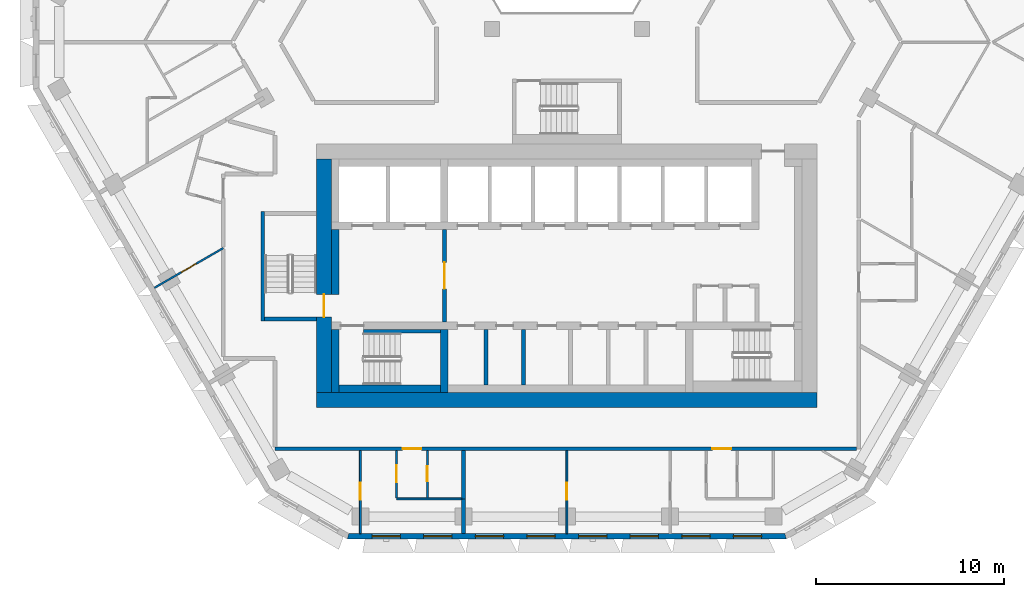
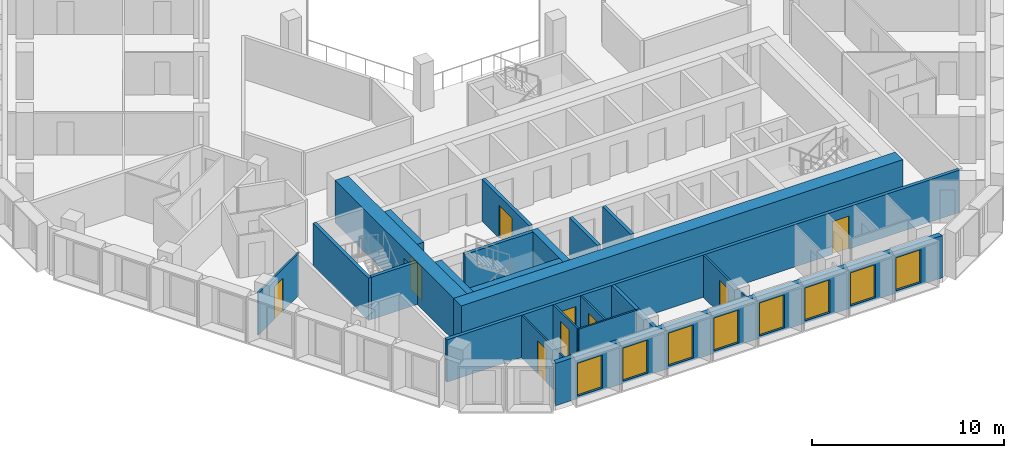
# One storey, part 3 of 18: 22 walls, 9 doors, 8 windows, 17 openings.
"""IFC4 building model written with IfcOpenShell, lengths in metres."""

from ifc_helpers import new_model, si_unit, direction, frame, frame_2d, origin, place, context, subcontext, project, spatial, polyline, rectangle, outline, extrude, material, layer, layer_set, type_object, element, fill, save


model = new_model("IFC4")

# Units and contexts
model_context = context("Model", 3, precision=1e-05, world=origin(), true_north=direction((0.0, 1.0)))
body_context = subcontext(model_context, "Body", "Model", "MODEL_VIEW")
ifc_project = project(units=[si_unit("LENGTHUNIT", "METRE"), si_unit("AREAUNIT", "SQUARE_METRE"), si_unit("VOLUMEUNIT", "CUBIC_METRE"), si_unit("PLANEANGLEUNIT", "RADIAN"), si_unit("MASSUNIT", "GRAM", prefix="KILO")], contexts=[model_context])

# Site, building, storey
site_placement = place(None, origin())
site = spatial("IfcSite", under=ifc_project, at=site_placement, CompositionType="ELEMENT")
building_placement = place(site_placement, origin())
building = spatial("IfcBuilding", under=site, at=building_placement, Name="Beryl Residences", CompositionType="ELEMENT")
storey_placement = place(building_placement, frame((0.0, 0.0, 138.60009765625)))
storey = spatial("IfcBuildingStorey", under=building, at=storey_placement, Name="L42", CompositionType="ELEMENT", Elevation=138.60009765625)

# Wall, openings, windows
ifc_material_1 = material(Name="Composite metal panel with mineral wool insulation")
ifc_layer_1 = layer(ifc_material_1, 0.300048828125)
ifc_layer_set_1 = layer_set([ifc_layer_1], Name="ES1 pale metal composite panel wall 300 mm")
wall_type_1 = type_object("IfcWallType", Name="ES1 pale metal composite panel wall 300 mm", PredefinedType="SOLIDWALL", material=ifc_layer_set_1)
wall_1_placement = place(storey_placement, frame((-11.662109375, -25.85009765625, 0.0), z_axis=(0.0, 0.0, 1.0), x_axis=(1.0, 0.0, 0.0)))
wall_1 = element("IfcWall", 1, at=wall_1_placement, inside=storey, type_object=wall_type_1, Name="ES1 external wall L42 S", PredefinedType="SOLIDWALL", context=body_context, shape_type="SweptSolid", body=[
    extrude(outline(polyline([(0.0, -0.14990234375), (23.32421875, -0.14990234375), (23.243896484375, 0.14990234375), (0.080322265625, 0.14990234375), (0.0, -0.14990234375)])), origin(), (0.0, 0.0, 1.0), 2.699951171875),
])
opening_1_placement = place(wall_1_placement, frame((1.31396484375, 0.0, 0.14990234375)))
opening_1 = element("IfcOpeningElement", 2, at=opening_1_placement, cuts=wall_1, Name="Opening W1", PredefinedType="OPENING", context=body_context, shape_type="SweptSolid", body=[
    extrude(rectangle(XDim=1.5, YDim=2.10009765625, at=frame_2d((0.75, 1.050048828125))), frame((0.0, 0.159912109375, 0.0), z_axis=(0.0, -1.0, 0.0), x_axis=(1.0, 0.0, 0.0)), (0.0, 0.0, 1.0), 0.320068359375),
])
opening_2_placement = place(wall_1_placement, frame((4.056884765625, 0.0, 0.14990234375)))
opening_2 = element("IfcOpeningElement", 3, at=opening_2_placement, cuts=wall_1, Name="Opening W1", PredefinedType="OPENING", context=body_context, shape_type="SweptSolid", body=[
    extrude(rectangle(XDim=1.5, YDim=2.10009765625, at=frame_2d((0.75, 1.050048828125))), frame((0.0, 0.159912109375, 0.0), z_axis=(0.0, -1.0, 0.0), x_axis=(1.0, 0.0, 0.0)), (0.0, 0.0, 1.0), 0.320068359375),
])
opening_3_placement = place(wall_1_placement, frame((6.799072265625, 0.0, 0.14990234375)))
opening_3 = element("IfcOpeningElement", 4, at=opening_3_placement, cuts=wall_1, Name="Opening W1", PredefinedType="OPENING", context=body_context, shape_type="SweptSolid", body=[
    extrude(rectangle(XDim=1.5, YDim=2.10009765625, at=frame_2d((0.75, 1.050048828125))), frame((0.0, 0.159912109375, 0.0), z_axis=(0.0, -1.0, 0.0), x_axis=(1.0, 0.0, 0.0)), (0.0, 0.0, 1.0), 0.320068359375),
])
opening_4_placement = place(wall_1_placement, frame((9.5419921875, 0.0, 0.14990234375)))
opening_4 = element("IfcOpeningElement", 5, at=opening_4_placement, cuts=wall_1, Name="Opening W1", PredefinedType="OPENING", context=body_context, shape_type="SweptSolid", body=[
    extrude(rectangle(XDim=1.5, YDim=2.10009765625, at=frame_2d((0.75, 1.050048828125))), frame((0.0, 0.159912109375, 0.0), z_axis=(0.0, -1.0, 0.0), x_axis=(1.0, 0.0, 0.0)), (0.0, 0.0, 1.0), 0.320068359375),
])
opening_5_placement = place(wall_1_placement, frame((12.283935546875, 0.0, 0.14990234375)))
opening_5 = element("IfcOpeningElement", 6, at=opening_5_placement, cuts=wall_1, Name="Opening W1", PredefinedType="OPENING", context=body_context, shape_type="SweptSolid", body=[
    extrude(rectangle(XDim=1.5, YDim=2.10009765625, at=frame_2d((0.75, 1.050048828125))), frame((0.0, 0.159912109375, 0.0), z_axis=(0.0, -1.0, 0.0), x_axis=(1.0, 0.0, 0.0)), (0.0, 0.0, 1.0), 0.320068359375),
])
opening_6_placement = place(wall_1_placement, frame((15.027099609375, 0.0, 0.14990234375)))
opening_6 = element("IfcOpeningElement", 7, at=opening_6_placement, cuts=wall_1, Name="Opening W1", PredefinedType="OPENING", context=body_context, shape_type="SweptSolid", body=[
    extrude(rectangle(XDim=1.5, YDim=2.10009765625, at=frame_2d((0.75, 1.050048828125))), frame((0.0, 0.159912109375, 0.0), z_axis=(0.0, -1.0, 0.0), x_axis=(1.0, 0.0, 0.0)), (0.0, 0.0, 1.0), 0.320068359375),
])
opening_7_placement = place(wall_1_placement, frame((17.76904296875, 0.0, 0.14990234375)))
opening_7 = element("IfcOpeningElement", 8, at=opening_7_placement, cuts=wall_1, Name="Opening W1", PredefinedType="OPENING", context=body_context, shape_type="SweptSolid", body=[
    extrude(rectangle(XDim=1.5, YDim=2.10009765625, at=frame_2d((0.75, 1.050048828125))), frame((0.0, 0.159912109375, 0.0), z_axis=(0.0, -1.0, 0.0), x_axis=(1.0, 0.0, 0.0)), (0.0, 0.0, 1.0), 0.320068359375),
])
opening_8_placement = place(wall_1_placement, frame((20.511962890625, 0.0, 0.14990234375)))
opening_8 = element("IfcOpeningElement", 9, at=opening_8_placement, cuts=wall_1, Name="Opening W1", PredefinedType="OPENING", context=body_context, shape_type="SweptSolid", body=[
    extrude(rectangle(XDim=1.5, YDim=2.10009765625, at=frame_2d((0.75, 1.050048828125))), frame((0.0, 0.159912109375, 0.0), z_axis=(0.0, -1.0, 0.0), x_axis=(1.0, 0.0, 0.0)), (0.0, 0.0, 1.0), 0.320068359375),
])
ifc_material_2 = material(Name="Aluminium and clear glass", Category="aluminium")
window_type = type_object("IfcWindowType", Name="W1 cell window 1500 x 2100 mm", PartitioningType="SINGLE_PANEL", PredefinedType="WINDOW", material=ifc_material_2)
window_1_placement = place(opening_1_placement, origin())
window_1 = element("IfcWindow", 10, at=window_1_placement, inside=storey, type_object=window_type, Name="W1 window L42 S 1", OverallHeight=2.10009765625, OverallWidth=1.5, PartitioningType="SINGLE_PANEL", PredefinedType="WINDOW", context=body_context, shape_type="SweptSolid", body=[
    extrude(rectangle(XDim=1.5, YDim=2.10009765625, at=frame_2d((0.75, 1.050048828125))), frame((0.0, 0.030029296875, 0.0), z_axis=(0.0, -1.0, 0.0), x_axis=(1.0, 0.0, 0.0)), (0.0, 0.0, 1.0), 0.06005859375),
])
fill(opening_1, window_1)
window_2_placement = place(opening_2_placement, origin())
window_2 = element("IfcWindow", 11, at=window_2_placement, inside=storey, type_object=window_type, Name="W1 window L42 S 2", OverallHeight=2.10009765625, OverallWidth=1.5, PartitioningType="SINGLE_PANEL", PredefinedType="WINDOW", context=body_context, shape_type="SweptSolid", body=[
    extrude(rectangle(XDim=1.5, YDim=2.10009765625, at=frame_2d((0.75, 1.050048828125))), frame((0.0, 0.030029296875, 0.0), z_axis=(0.0, -1.0, 0.0), x_axis=(1.0, 0.0, 0.0)), (0.0, 0.0, 1.0), 0.06005859375),
])
fill(opening_2, window_2)
window_3_placement = place(opening_3_placement, origin())
window_3 = element("IfcWindow", 12, at=window_3_placement, inside=storey, type_object=window_type, Name="W1 window L42 S 3", OverallHeight=2.10009765625, OverallWidth=1.5, PartitioningType="SINGLE_PANEL", PredefinedType="WINDOW", context=body_context, shape_type="SweptSolid", body=[
    extrude(rectangle(XDim=1.5, YDim=2.10009765625, at=frame_2d((0.75, 1.050048828125))), frame((0.0, 0.030029296875, 0.0), z_axis=(0.0, -1.0, 0.0), x_axis=(1.0, 0.0, 0.0)), (0.0, 0.0, 1.0), 0.06005859375),
])
fill(opening_3, window_3)
window_4_placement = place(opening_4_placement, origin())
window_4 = element("IfcWindow", 13, at=window_4_placement, inside=storey, type_object=window_type, Name="W1 window L42 S 4", OverallHeight=2.10009765625, OverallWidth=1.5, PartitioningType="SINGLE_PANEL", PredefinedType="WINDOW", context=body_context, shape_type="SweptSolid", body=[
    extrude(rectangle(XDim=1.5, YDim=2.10009765625, at=frame_2d((0.75, 1.050048828125))), frame((0.0, 0.030029296875, 0.0), z_axis=(0.0, -1.0, 0.0), x_axis=(1.0, 0.0, 0.0)), (0.0, 0.0, 1.0), 0.06005859375),
])
fill(opening_4, window_4)
window_5_placement = place(opening_5_placement, origin())
window_5 = element("IfcWindow", 14, at=window_5_placement, inside=storey, type_object=window_type, Name="W1 window L42 S 5", OverallHeight=2.10009765625, OverallWidth=1.5, PartitioningType="SINGLE_PANEL", PredefinedType="WINDOW", context=body_context, shape_type="SweptSolid", body=[
    extrude(rectangle(XDim=1.5, YDim=2.10009765625, at=frame_2d((0.75, 1.050048828125))), frame((0.0, 0.030029296875, 0.0), z_axis=(0.0, -1.0, 0.0), x_axis=(1.0, 0.0, 0.0)), (0.0, 0.0, 1.0), 0.06005859375),
])
fill(opening_5, window_5)
window_6_placement = place(opening_6_placement, origin())
window_6 = element("IfcWindow", 15, at=window_6_placement, inside=storey, type_object=window_type, Name="W1 window L42 S 6", OverallHeight=2.10009765625, OverallWidth=1.5, PartitioningType="SINGLE_PANEL", PredefinedType="WINDOW", context=body_context, shape_type="SweptSolid", body=[
    extrude(rectangle(XDim=1.5, YDim=2.10009765625, at=frame_2d((0.75, 1.050048828125))), frame((0.0, 0.030029296875, 0.0), z_axis=(0.0, -1.0, 0.0), x_axis=(1.0, 0.0, 0.0)), (0.0, 0.0, 1.0), 0.06005859375),
])
fill(opening_6, window_6)
window_7_placement = place(opening_7_placement, origin())
window_7 = element("IfcWindow", 16, at=window_7_placement, inside=storey, type_object=window_type, Name="W1 window L42 S 7", OverallHeight=2.10009765625, OverallWidth=1.5, PartitioningType="SINGLE_PANEL", PredefinedType="WINDOW", context=body_context, shape_type="SweptSolid", body=[
    extrude(rectangle(XDim=1.5, YDim=2.10009765625, at=frame_2d((0.75, 1.050048828125))), frame((0.0, 0.030029296875, 0.0), z_axis=(0.0, -1.0, 0.0), x_axis=(1.0, 0.0, 0.0)), (0.0, 0.0, 1.0), 0.06005859375),
])
fill(opening_7, window_7)
window_8_placement = place(opening_8_placement, origin())
window_8 = element("IfcWindow", 17, at=window_8_placement, inside=storey, type_object=window_type, Name="W1 window L42 S 8", OverallHeight=2.10009765625, OverallWidth=1.5, PartitioningType="SINGLE_PANEL", PredefinedType="WINDOW", context=body_context, shape_type="SweptSolid", body=[
    extrude(rectangle(XDim=1.5, YDim=2.10009765625, at=frame_2d((0.75, 1.050048828125))), frame((0.0, 0.030029296875, 0.0), z_axis=(0.0, -1.0, 0.0), x_axis=(1.0, 0.0, 0.0)), (0.0, 0.0, 1.0), 0.06005859375),
])
fill(opening_8, window_8)

# Wall, opening, door
ifc_material_3 = material(Name="Gypsum board partition on steel studs", Category="steel")
ifc_layer_2 = layer(ifc_material_3, 0.10009765625)
ifc_layer_set_2 = layer_set([ifc_layer_2], Name="PT1 partition 100 mm gypsum board on steel studs")
wall_type_2 = type_object("IfcWallType", Name="PT1 partition 100 mm gypsum board on steel studs", PredefinedType="PARTITIONING", material=ifc_layer_set_2)
wall_2_placement = place(storey_placement, frame((-9.049072265625, -21.300048828125, 0.0), z_axis=(0.0, 0.0, 1.0), x_axis=(0.0, -1.0, 0.0)))
wall_2 = element("IfcWall", 18, at=wall_2_placement, inside=storey, type_object=wall_type_2, Name="Wall PT1 L42 008", PredefinedType="PARTITIONING", context=body_context, shape_type="SweptSolid", body=[
    extrude(rectangle(XDim=2.509033203125, YDim=0.10009765625, at=frame_2d((1.25439453125, 0.0))), origin(), (0.0, 0.0, 1.0), 2.699951171875),
])
opening_9_placement = place(wall_2_placement, frame((0.780029296875, 0.0, 0.0)))
opening_9 = element("IfcOpeningElement", 19, at=opening_9_placement, cuts=wall_2, Name="Opening D1106", PredefinedType="OPENING", context=body_context, shape_type="SweptSolid", body=[
    extrude(rectangle(XDim=0.89990234375, YDim=2.10009765625, at=frame_2d((0.449951171875, 1.050048828125))), frame((0.0, 0.06005859375, 0.0), z_axis=(0.0, -1.0, 0.0), x_axis=(1.0, 0.0, 0.0)), (0.0, 0.0, 1.0), 0.1201171875),
])
ifc_material_4 = material(Name="Timber door leaf", Category="wood")
door_type_1 = type_object("IfcDoorType", Name="D2 room door 900 x 2100 mm", OperationType="SINGLE_SWING_LEFT", PredefinedType="DOOR", material=ifc_material_4)
door_1_placement = place(opening_9_placement, origin())
door_1 = element("IfcDoor", 20, at=door_1_placement, inside=storey, type_object=door_type_1, Name="Door D1106 L42 001", OperationType="SINGLE_SWING_RIGHT", OverallHeight=2.10009765625, OverallWidth=0.89990234375, PredefinedType="DOOR", context=body_context, shape_type="SweptSolid", body=[
    extrude(rectangle(XDim=0.89990234375, YDim=2.10009765625, at=frame_2d((0.449951171875, 1.050048828125))), frame((0.0, 0.02490234375, 0.0), z_axis=(0.0, -1.0, 0.0), x_axis=(1.0, 0.0, 0.0)), (0.0, 0.0, 1.0), 0.050048828125),
])
fill(opening_9, door_1)

# Wall
wall_3_placement = place(storey_placement, frame((-9.048095703125, -23.860107421875, 0.0), z_axis=(0.0, 0.0, 1.0), x_axis=(1.0, 0.0, 0.0)))
element("IfcWall", 21, at=wall_3_placement, inside=storey, type_object=wall_type_2, Name="Wall PT1 L42 021", PredefinedType="PARTITIONING", context=body_context, shape_type="SweptSolid", body=[
    extrude(rectangle(XDim=3.464111328125, YDim=0.10009765625, at=frame_2d((1.73193359375, 0.0))), origin(), (0.0, 0.0, 1.0), 2.699951171875),
])

# Wall, opening, door
wall_4_placement = place(storey_placement, frame((0.0009765625, -25.699951171875, 0.0), z_axis=(0.0, 0.0, 1.0), x_axis=(0.0, 1.0, 0.0)))
wall_4 = element("IfcWall", 22, at=wall_4_placement, inside=storey, type_object=wall_type_2, Name="Wall PT1 L42 044", PredefinedType="PARTITIONING", context=body_context, shape_type="SweptSolid", body=[
    extrude(rectangle(XDim=4.39990234375, YDim=0.10009765625, at=frame_2d((2.199951171875, 0.0))), origin(), (0.0, 0.0, 1.0), 2.699951171875),
])
opening_10_placement = place(wall_4_placement, frame((1.800048828125, 0.0, 0.0)))
opening_10 = element("IfcOpeningElement", 23, at=opening_10_placement, cuts=wall_4, Name="Opening D1114", PredefinedType="OPENING", context=body_context, shape_type="SweptSolid", body=[
    extrude(rectangle(XDim=0.89990234375, YDim=2.10009765625, at=frame_2d((0.449951171875, 1.050048828125))), frame((0.0, 0.06005859375, 0.0), z_axis=(0.0, -1.0, 0.0), x_axis=(1.0, 0.0, 0.0)), (0.0, 0.0, 1.0), 0.1201171875),
])
door_2_placement = place(opening_10_placement, origin())
door_2 = element("IfcDoor", 24, at=door_2_placement, inside=storey, type_object=door_type_1, Name="Door D1114 L42 001", OperationType="SINGLE_SWING_RIGHT", OverallHeight=2.10009765625, OverallWidth=0.89990234375, PredefinedType="DOOR", context=body_context, shape_type="SweptSolid", body=[
    extrude(rectangle(XDim=0.89990234375, YDim=2.10009765625, at=frame_2d((0.449951171875, 1.050048828125))), frame((0.0, 0.02490234375, 0.0), z_axis=(0.0, -1.0, 0.0), x_axis=(1.0, 0.0, 0.0)), (0.0, 0.0, 1.0), 0.050048828125),
])
fill(opening_10, door_2)

wall_5_placement = place(storey_placement, frame((-7.404052734375, -23.81005859375, 0.0), z_axis=(0.0, 0.0, 1.0), x_axis=(0.0, 1.0, 0.0)))
wall_5 = element("IfcWall", 25, at=wall_5_placement, inside=storey, type_object=wall_type_2, Name="Wall PT1 L42 047", PredefinedType="PARTITIONING", context=body_context, shape_type="SweptSolid", body=[
    extrude(rectangle(XDim=2.510009765625, YDim=0.10009765625, at=frame_2d((1.2548828125, 0.0))), origin(), (0.0, 0.0, 1.0), 2.699951171875),
])
opening_11_placement = place(wall_5_placement, frame((0.8798828125, 0.0, 0.0)))
opening_11 = element("IfcOpeningElement", 26, at=opening_11_placement, cuts=wall_5, Name="Opening D1107", PredefinedType="OPENING", context=body_context, shape_type="SweptSolid", body=[
    extrude(rectangle(XDim=0.800048828125, YDim=2.10009765625, at=frame_2d((0.39990234375, 1.050048828125))), frame((0.0, 0.06005859375, 0.0), z_axis=(0.0, -1.0, 0.0), x_axis=(1.0, 0.0, 0.0)), (0.0, 0.0, 1.0), 0.1201171875),
])
ifc_material_5 = material(Name="Timber door leaf", Category="wood")
door_type_2 = type_object("IfcDoorType", Name="D3 bathroom door 800 x 2100 mm", OperationType="SINGLE_SWING_LEFT", PredefinedType="DOOR", material=ifc_material_5)
door_3_placement = place(opening_11_placement, origin())
door_3 = element("IfcDoor", 27, at=door_3_placement, inside=storey, type_object=door_type_2, Name="Door D1107 L42 001", OperationType="SINGLE_SWING_LEFT", OverallHeight=2.10009765625, OverallWidth=0.800048828125, PredefinedType="DOOR", context=body_context, shape_type="SweptSolid", body=[
    extrude(rectangle(XDim=0.800048828125, YDim=2.10009765625, at=frame_2d((0.39990234375, 1.050048828125))), frame((0.0, 0.02490234375, 0.0), z_axis=(0.0, -1.0, 0.0), x_axis=(1.0, 0.0, 0.0)), (0.0, 0.0, 1.0), 0.050048828125),
])
fill(opening_11, door_3)

wall_6_placement = place(storey_placement, frame((-10.968994140625, -25.699951171875, 0.0), z_axis=(0.0, 0.0, 1.0), x_axis=(0.0, 1.0, 0.0)))
wall_6 = element("IfcWall", 28, at=wall_6_placement, inside=storey, type_object=wall_type_2, Name="Wall PT1 L42 048", PredefinedType="PARTITIONING", context=body_context, shape_type="SweptSolid", body=[
    extrude(rectangle(XDim=4.39990234375, YDim=0.10009765625, at=frame_2d((2.199951171875, 0.0))), origin(), (0.0, 0.0, 1.0), 2.699951171875),
])
opening_12_placement = place(wall_6_placement, frame((1.800048828125, 0.0, 0.0)))
opening_12 = element("IfcOpeningElement", 29, at=opening_12_placement, cuts=wall_6, Name="Opening D1108", PredefinedType="OPENING", context=body_context, shape_type="SweptSolid", body=[
    extrude(rectangle(XDim=0.89990234375, YDim=2.10009765625, at=frame_2d((0.449951171875, 1.050048828125))), frame((0.0, 0.06005859375, 0.0), z_axis=(0.0, -1.0, 0.0), x_axis=(1.0, 0.0, 0.0)), (0.0, 0.0, 1.0), 0.1201171875),
])
door_4_placement = place(opening_12_placement, origin())
door_4 = element("IfcDoor", 30, at=door_4_placement, inside=storey, type_object=door_type_1, Name="Door D1108 L42 001", OperationType="SINGLE_SWING_RIGHT", OverallHeight=2.10009765625, OverallWidth=0.89990234375, PredefinedType="DOOR", context=body_context, shape_type="SweptSolid", body=[
    extrude(rectangle(XDim=0.89990234375, YDim=2.10009765625, at=frame_2d((0.449951171875, 1.050048828125))), frame((0.0, 0.02490234375, 0.0), z_axis=(0.0, -1.0, 0.0), x_axis=(1.0, 0.0, 0.0)), (0.0, 0.0, 1.0), 0.050048828125),
])
fill(opening_12, door_4)

wall_7_placement = place(storey_placement, frame((-21.910888671875, -12.64892578125, 0.0), z_axis=(0.0, 0.0, 1.0), x_axis=(0.865984571374, 0.500070717141, 0.0)))
wall_7 = element("IfcWall", 31, at=wall_7_placement, inside=storey, type_object=wall_type_2, Name="Wall PT1 L42 052", PredefinedType="PARTITIONING", context=body_context, shape_type="SweptSolid", body=[
    extrude(rectangle(XDim=4.2275390625, YDim=0.10009765625, at=frame_2d((2.11376953125, 0.0))), origin(), (0.0, 0.0, 1.0), 2.699951171875),
])
opening_13_placement = place(wall_7_placement, frame((1.6630859375, 0.0, 0.0)))
opening_13 = element("IfcOpeningElement", 32, at=opening_13_placement, cuts=wall_7, Name="Opening D1104", PredefinedType="OPENING", context=body_context, shape_type="SweptSolid", body=[
    extrude(rectangle(XDim=0.89990234375, YDim=2.10009765625, at=frame_2d((0.449951171875, 1.050048828125))), frame((0.0, 0.06005859375, 0.0), z_axis=(0.0, -1.0, 0.0), x_axis=(1.0, 0.0, 0.0)), (0.0, 0.0, 1.0), 0.1201171875),
])
door_5_placement = place(opening_13_placement, origin())
door_5 = element("IfcDoor", 33, at=door_5_placement, inside=storey, type_object=door_type_1, Name="Door D1104 L42 001", OperationType="SINGLE_SWING_RIGHT", OverallHeight=2.10009765625, OverallWidth=0.89990234375, PredefinedType="DOOR", context=body_context, shape_type="SweptSolid", body=[
    extrude(rectangle(XDim=0.89990234375, YDim=2.10009765625, at=frame_2d((0.449951171875, 1.050048828125))), frame((0.0, 0.02490234375, 0.0), z_axis=(0.0, -1.0, 0.0), x_axis=(1.0, 0.0, 0.0)), (0.0, 0.0, 1.0), 0.050048828125),
])
fill(opening_13, door_5)

ifc_material_6 = material(Name="Concrete masonry", Category="masonry")
ifc_layer_3 = layer(ifc_material_6, 0.199951171875)
ifc_layer_set_3 = layer_set([ifc_layer_3], Name="PT13 lobby wall 200 mm")
wall_type_3 = type_object("IfcWallType", Name="PT13 lobby wall 200 mm", PredefinedType="PARTITIONING", material=ifc_layer_set_3)
wall_8_placement = place(storey_placement, frame((-6.5, -14.449951171875, 0.0), z_axis=(0.0, 0.0, 1.0), x_axis=(0.0, 1.0, 0.0)))
wall_8 = element("IfcWall", 34, at=wall_8_placement, inside=storey, type_object=wall_type_3, Name="Lobby wall 11", PredefinedType="PARTITIONING", context=body_context, shape_type="SweptSolid", body=[
    extrude(rectangle(XDim=4.89990234375, YDim=0.199951171875, at=frame_2d((2.449951171875, 0.0))), origin(), (0.0, 0.0, 1.0), 2.699951171875),
])
opening_14_placement = place(wall_8_placement, frame((3.14990234375, 0.0, 0.0), z_axis=(0.0, 0.0, 1.0), x_axis=(-1.0, 0.0, 0.0)))
opening_14 = element("IfcOpeningElement", 35, at=opening_14_placement, cuts=wall_8, Name="Opening FD-FFL", PredefinedType="OPENING", context=body_context, shape_type="SweptSolid", body=[
    extrude(rectangle(XDim=1.39990234375, YDim=2.10009765625, at=frame_2d((0.699951171875, 1.050048828125))), frame((0.0, 0.10986328125, 0.0), z_axis=(0.0, -1.0, 0.0), x_axis=(1.0, 0.0, 0.0)), (0.0, 0.0, 1.0), 0.219970703125),
])
ifc_material_7 = material(Name="Steel door leaf in steel frame", Category="steel")
door_type_3 = type_object("IfcDoorType", Name="D5 lobby door 1400 x 2100 mm", OperationType="DOUBLE_DOOR_SINGLE_SWING", PredefinedType="DOOR", material=ifc_material_7)
door_6_placement = place(opening_14_placement, origin())
door_6 = element("IfcDoor", 36, at=door_6_placement, inside=storey, type_object=door_type_3, Name="Door FD-FFL L42 001", OperationType="DOUBLE_DOOR_SINGLE_SWING", OverallHeight=2.10009765625, OverallWidth=1.39990234375, PredefinedType="DOOR", context=body_context, shape_type="SweptSolid", body=[
    extrude(rectangle(XDim=1.39990234375, YDim=2.10009765625, at=frame_2d((0.699951171875, 1.050048828125))), frame((0.0, 0.02490234375, 0.0), z_axis=(0.0, -1.0, 0.0), x_axis=(1.0, 0.0, 0.0)), (0.0, 0.0, 1.0), 0.050048828125),
])
fill(opening_14, door_6)

# Walls
ifc_material_8 = material(Name="Concrete masonry", Category="masonry")
ifc_layer_4 = layer(ifc_material_8, 0.39990234375)
ifc_layer_set_4 = layer_set([ifc_layer_4], Name="PT13-400 lobby wall 400 mm")
wall_type_4 = type_object("IfcWallType", Name="PT13-400 lobby wall 400 mm", PredefinedType="PARTITIONING", material=ifc_layer_set_4)
wall_9_placement = place(storey_placement, frame((-12.300048828125, -13.0, 0.0), z_axis=(0.0, 0.0, 1.0), x_axis=(0.0, 1.0, 0.0)))
element("IfcWall", 37, at=wall_9_placement, inside=storey, type_object=wall_type_4, Name="Lobby wall 05", PredefinedType="PARTITIONING", context=body_context, shape_type="SweptSolid", body=[
    extrude(rectangle(XDim=3.449951171875, YDim=0.39990234375, at=frame_2d((1.72509765625, 0.0))), origin(), (0.0, 0.0, 1.0), 2.699951171875),
])
ifc_material_9 = material(Name="Acoustic double stud gypsum board wall")
ifc_layer_5 = layer(ifc_material_9, 0.199951171875)
ifc_layer_set_5 = layer_set([ifc_layer_5], Name="PT3 party wall 200 mm acoustic double stud")
wall_type_5 = type_object("IfcWallType", Name="PT3 party wall 200 mm acoustic double stud", PredefinedType="PARTITIONING", material=ifc_layer_set_5)
wall_10_placement = place(storey_placement, frame((-5.48388671875, -23.860107421875, 0.0), z_axis=(0.0, 0.0, 1.0), x_axis=(0.0, -1.0, 0.0)))
element("IfcWall", 38, at=wall_10_placement, inside=storey, type_object=wall_type_5, Name="Wall PT3 L42 003", PredefinedType="PARTITIONING", context=body_context, shape_type="SweptSolid", body=[
    extrude(rectangle(XDim=1.83984375, YDim=0.199951171875, at=frame_2d((0.919921875, 0.0))), origin(), (0.0, 0.0, 1.0), 2.699951171875),
])
wall_11_placement = place(storey_placement, frame((-5.48388671875, -23.860107421875, 0.0), z_axis=(0.0, 0.0, 1.0), x_axis=(0.0, 1.0, 0.0)))
element("IfcWall", 39, at=wall_11_placement, inside=storey, type_object=wall_type_5, Name="Wall PT3 L42 009", PredefinedType="PARTITIONING", context=body_context, shape_type="SweptSolid", body=[
    extrude(rectangle(XDim=2.56005859375, YDim=0.199951171875, at=frame_2d((1.280029296875, 0.0))), origin(), (0.0, 0.0, 1.0), 2.699951171875),
])

# Wall, openings, doors
ifc_material_10 = material(Name="Double stud gypsum board wall")
ifc_layer_6 = layer(ifc_material_10, 0.199951171875)
ifc_layer_set_6 = layer_set([ifc_layer_6], Name="PT4 corridor wall 200 mm double stud")
wall_type_6 = type_object("IfcWallType", Name="PT4 corridor wall 200 mm double stud", PredefinedType="PARTITIONING", material=ifc_layer_set_6)
wall_12_placement = place(storey_placement, frame((-15.4990234375, -21.199951171875, 0.0), z_axis=(0.0, 0.0, 1.0), x_axis=(1.0, 0.0, 0.0)))
wall_12 = element("IfcWall", 40, at=wall_12_placement, inside=storey, type_object=wall_type_6, Name="Wall PT4 L42 012", PredefinedType="PARTITIONING", context=body_context, shape_type="SweptSolid", body=[
    extrude(rectangle(XDim=30.89794921875, YDim=0.199951171875, at=frame_2d((15.448974609375, 0.0))), origin(), (0.0, 0.0, 1.0), 2.699951171875),
])
opening_15_placement = place(wall_12_placement, frame((6.77294921875, 0.0, 0.0)))
opening_15 = element("IfcOpeningElement", 41, at=opening_15_placement, cuts=wall_12, Name="Opening D1105", PredefinedType="OPENING", context=body_context, shape_type="SweptSolid", body=[
    extrude(rectangle(XDim=1.0, YDim=2.10009765625, at=frame_2d((0.5, 1.050048828125))), frame((0.0, 0.10986328125, 0.0), z_axis=(0.0, -1.0, 0.0), x_axis=(1.0, 0.0, 0.0)), (0.0, 0.0, 1.0), 0.219970703125),
])
opening_16_placement = place(wall_12_placement, frame((23.22802734375, 0.0, 0.0)))
opening_16 = element("IfcOpeningElement", 42, at=opening_16_placement, cuts=wall_12, Name="Opening D1109", PredefinedType="OPENING", context=body_context, shape_type="SweptSolid", body=[
    extrude(rectangle(XDim=1.0, YDim=2.10009765625, at=frame_2d((0.5, 1.050048828125))), frame((0.0, 0.10986328125, 0.0), z_axis=(0.0, -1.0, 0.0), x_axis=(1.0, 0.0, 0.0)), (0.0, 0.0, 1.0), 0.219970703125),
])
ifc_material_11 = material(Name="Timber door leaf", Category="wood")
door_type_4 = type_object("IfcDoorType", Name="D1 flat entrance door 1000 x 2100 mm", OperationType="SINGLE_SWING_LEFT", PredefinedType="DOOR", material=ifc_material_11)
door_7_placement = place(opening_15_placement, origin())
door_7 = element("IfcDoor", 43, at=door_7_placement, inside=storey, type_object=door_type_4, Name="Door D1105 L42 001", OperationType="SINGLE_SWING_LEFT", OverallHeight=2.10009765625, OverallWidth=1.0, PredefinedType="DOOR", context=body_context, shape_type="SweptSolid", body=[
    extrude(rectangle(XDim=1.0, YDim=2.10009765625, at=frame_2d((0.5, 1.050048828125))), frame((0.0, 0.02490234375, 0.0), z_axis=(0.0, -1.0, 0.0), x_axis=(1.0, 0.0, 0.0)), (0.0, 0.0, 1.0), 0.050048828125),
])
fill(opening_15, door_7)
door_8_placement = place(opening_16_placement, origin())
door_8 = element("IfcDoor", 44, at=door_8_placement, inside=storey, type_object=door_type_4, Name="Door D1109 L42 001", OperationType="SINGLE_SWING_LEFT", OverallHeight=2.10009765625, OverallWidth=1.0, PredefinedType="DOOR", context=body_context, shape_type="SweptSolid", body=[
    extrude(rectangle(XDim=1.0, YDim=2.10009765625, at=frame_2d((0.5, 1.050048828125))), frame((0.0, 0.02490234375, 0.0), z_axis=(0.0, -1.0, 0.0), x_axis=(1.0, 0.0, 0.0)), (0.0, 0.0, 1.0), 0.050048828125),
])
fill(opening_16, door_8)

# Walls
ifc_material_12 = material(Name="Concrete C40/50", Category="concrete")
ifc_layer_7 = layer(ifc_material_12, 0.199951171875)
ifc_layer_set_7 = layer_set([ifc_layer_7], Name="PT5 stair enclosure wall 200 mm reinforced concrete C40/50")
wall_type_7 = type_object("IfcWallType", Name="PT5 stair enclosure wall 200 mm reinforced concrete C40/50", PredefinedType="SOLIDWALL", material=ifc_layer_set_7)
wall_13_placement = place(storey_placement, frame((-16.14990234375, -14.39990234375, 0.0), z_axis=(0.0, 0.0, 1.0), x_axis=(0.0, 1.0, 0.0)))
element("IfcWall", 45, at=wall_13_placement, inside=storey, type_object=wall_type_7, Name="Stair wall 01", PredefinedType="SOLIDWALL", context=body_context, shape_type="SweptSolid", body=[
    extrude(rectangle(XDim=5.7998046875, YDim=0.199951171875, at=frame_2d((2.89990234375, 0.0))), origin(), (0.0, 0.0, 1.0), 2.699951171875),
])
wall_14_placement = place(storey_placement, frame((-16.050048828125, -14.300048828125, 0.0), z_axis=(0.0, 0.0, 1.0), x_axis=(1.0, 0.0, 0.0)))
element("IfcWall", 46, at=wall_14_placement, inside=storey, type_object=wall_type_7, Name="Stair wall 02", PredefinedType="SOLIDWALL", context=body_context, shape_type="SweptSolid", body=[
    extrude(rectangle(XDim=2.75, YDim=0.199951171875, at=frame_2d((1.375, 0.0))), origin(), (0.0, 0.0, 1.0), 2.699951171875),
])
wall_15_placement = place(storey_placement, frame((-10.800048828125, -14.949951171875, 0.0), z_axis=(0.0, 0.0, 1.0), x_axis=(1.0, 0.0, 0.0)))
element("IfcWall", 47, at=wall_15_placement, inside=storey, type_object=wall_type_7, Name="Stair wall 09", PredefinedType="SOLIDWALL", context=body_context, shape_type="SweptSolid", body=[
    extrude(rectangle(XDim=4.10009765625, YDim=0.199951171875, at=frame_2d((2.050048828125, 0.0))), origin(), (0.0, 0.0, 1.0), 2.699951171875),
])
ifc_material_13 = material(Name="Concrete C40/50", Category="concrete")
ifc_layer_8 = layer(ifc_material_13, 0.39990234375)
ifc_layer_set_8 = layer_set([ifc_layer_8], Name="PT5-400 stair enclosure wall 400 mm")
wall_type_8 = type_object("IfcWallType", Name="PT5-400 stair enclosure wall 400 mm", PredefinedType="SOLIDWALL", material=ifc_layer_set_8)
wall_16_placement = place(storey_placement, frame((-12.300048828125, -18.199951171875, 0.0), z_axis=(0.0, 0.0, 1.0), x_axis=(0.0, 1.0, 0.0)))
element("IfcWall", 48, at=wall_16_placement, inside=storey, type_object=wall_type_8, Name="Stair wall 04", PredefinedType="SOLIDWALL", context=body_context, shape_type="SweptSolid", body=[
    extrude(rectangle(XDim=3.349853515625, YDim=0.39990234375, at=frame_2d((1.6748046875, 0.0))), origin(), (0.0, 0.0, 1.0), 2.699951171875),
])
wall_17_placement = place(storey_placement, frame((-12.10009765625, -18.0, 0.0), z_axis=(0.0, 0.0, 1.0), x_axis=(1.0, 0.0, 0.0)))
element("IfcWall", 49, at=wall_17_placement, inside=storey, type_object=wall_type_8, Name="Stair wall 07", PredefinedType="SOLIDWALL", context=body_context, shape_type="SweptSolid", body=[
    extrude(rectangle(XDim=5.400146484375, YDim=0.39990234375, at=frame_2d((2.7001953125, 0.0))), origin(), (0.0, 0.0, 1.0), 2.699951171875),
])
ifc_material_14 = material(Name="Concrete masonry", Category="masonry")
ifc_layer_9 = layer(ifc_material_14, 0.199951171875)
ifc_layer_set_9 = layer_set([ifc_layer_9], Name="PT8-200 service room wall 200 mm")
wall_type_9 = type_object("IfcWallType", Name="PT8-200 service room wall 200 mm", PredefinedType="PARTITIONING", material=ifc_layer_set_9)
for number, where, z_axis, x_axis, name in (
    (50, (-4.300048828125, -17.800048828125, 0.0), (0.0, 0.0, 1.0), (0.0, 1.0, 0.0), "Core room wall 14"),
    (51, (-2.300048828125, -17.800048828125, 0.0), (0.0, 0.0, 1.0), (0.0, 1.0, 0.0), "Core room wall 16"),
):
    element("IfcWall", number, at=place(storey_placement, frame(where, z_axis=z_axis, x_axis=x_axis)), inside=storey, type_object=wall_type_9, Name=name, PredefinedType="PARTITIONING", context=body_context, shape_type="SweptSolid", body=[
        extrude(rectangle(XDim=2.949951171875, YDim=0.199951171875, at=frame_2d((1.47509765625, 0.0))), origin(), (0.0, 0.0, 1.0), 2.699951171875),
    ])
ifc_material_15 = material(Name="Concrete C60/75", Category="concrete")
ifc_layer_10 = layer(ifc_material_15, 0.800048828125)
ifc_layer_set_10 = layer_set([ifc_layer_10], Name="SW3 core outer wall 800 mm C60/75")
wall_type_10 = type_object("IfcWallType", Name="SW3 core outer wall 800 mm C60/75", PredefinedType="SHEAR", material=ifc_layer_set_10)
wall_18_placement = place(storey_placement, frame((-13.300048828125, -18.60009765625, 0.0), z_axis=(0.0, 0.0, 1.0), x_axis=(1.0, 0.0, 0.0)))
element("IfcWall", 52, at=wall_18_placement, inside=storey, type_object=wall_type_10, Name="Core wall S L42", PredefinedType="SHEAR", context=body_context, shape_type="SweptSolid", body=[
    extrude(rectangle(XDim=26.60009765625, YDim=0.800048828125, at=frame_2d((13.300048828125, 0.0))), origin(), (0.0, 0.0, 1.0), 2.699951171875),
])

# Wall, opening, door
wall_19_placement = place(storey_placement, frame((-12.89990234375, -18.199951171875, 0.0), z_axis=(0.0, 0.0, 1.0), x_axis=(0.0, 1.0, 0.0)))
wall_19 = element("IfcWall", 53, at=wall_19_placement, inside=storey, type_object=wall_type_10, Name="Core wall W L42", PredefinedType="SHEAR", context=body_context, shape_type="SweptSolid", body=[
    extrude(rectangle(XDim=12.39990234375, YDim=0.800048828125, at=frame_2d((6.199951171875, 0.0))), origin(), (0.0, 0.0, 1.0), 2.699951171875),
])
opening_17_placement = place(wall_19_placement, frame((4.0, 0.0, 0.0)))
opening_17 = element("IfcOpeningElement", 54, at=opening_17_placement, cuts=wall_19, Name="Opening SD-2", PredefinedType="OPENING", context=body_context, shape_type="SweptSolid", body=[
    extrude(rectangle(XDim=1.199951171875, YDim=2.10009765625, at=frame_2d((0.60009765625, 1.050048828125))), frame((0.0, 0.409912109375, 0.0), z_axis=(0.0, -1.0, 0.0), x_axis=(1.0, 0.0, 0.0)), (0.0, 0.0, 1.0), 0.820068359375),
])
ifc_material_16 = material(Name="Steel door leaf in steel frame", Category="steel")
door_type_5 = type_object("IfcDoorType", Name="D4 stair door 1200 x 2100 mm", OperationType="SINGLE_SWING_LEFT", PredefinedType="DOOR", material=ifc_material_16)
door_9_placement = place(opening_17_placement, origin())
door_9 = element("IfcDoor", 55, at=door_9_placement, inside=storey, type_object=door_type_5, Name="Door SD-2 L42 001", OperationType="SINGLE_SWING_RIGHT", OverallHeight=2.10009765625, OverallWidth=1.199951171875, PredefinedType="DOOR", context=body_context, shape_type="SweptSolid", body=[
    extrude(rectangle(XDim=1.199951171875, YDim=2.10009765625, at=frame_2d((0.60009765625, 1.050048828125))), frame((0.0, 0.02490234375, 0.0), z_axis=(0.0, -1.0, 0.0), x_axis=(1.0, 0.0, 0.0)), (0.0, 0.0, 1.0), 0.050048828125),
])
fill(opening_17, door_9)

# Wall
ifc_material_17 = material(Name="Concrete C60/75", Category="concrete")
ifc_layer_11 = layer(ifc_material_17, 0.39990234375)
ifc_layer_set_11 = layer_set([ifc_layer_11], Name="SW8 core internal wall 400 mm C60/75")
wall_type_11 = type_object("IfcWallType", Name="SW8 core internal wall 400 mm C60/75", PredefinedType="SHEAR", material=ifc_layer_set_11)
wall_20_placement = place(storey_placement, frame((-6.5, -18.199951171875, 0.0), z_axis=(0.0, 0.0, 1.0), x_axis=(0.0, 1.0, 0.0)))
element("IfcWall", 56, at=wall_20_placement, inside=storey, type_object=wall_type_11, Name="Core wall XS1 L42", PredefinedType="SHEAR", context=body_context, shape_type="SweptSolid", body=[
    extrude(rectangle(XDim=3.349853515625, YDim=0.39990234375, at=frame_2d((1.6748046875, 0.0))), origin(), (0.0, 0.0, 1.0), 2.699951171875),
])

save(model, "model.ifc")
